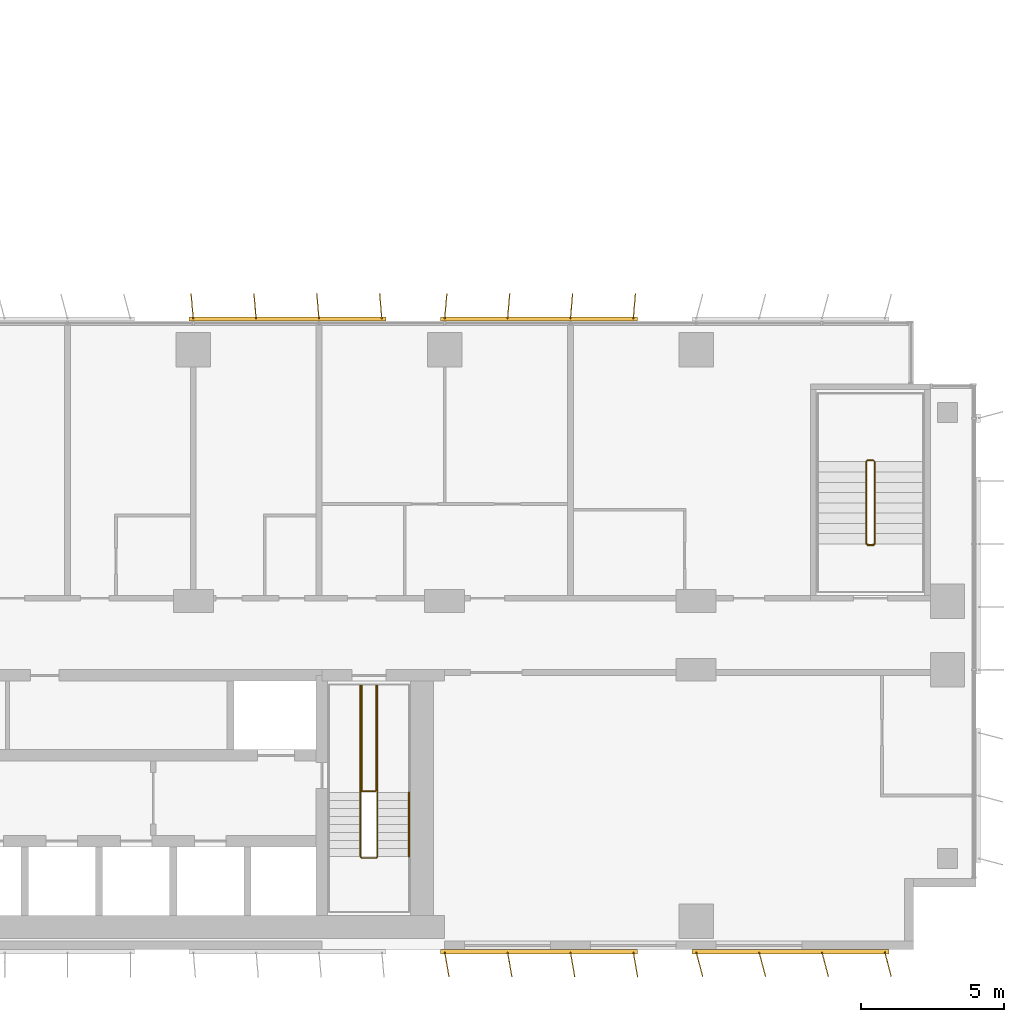
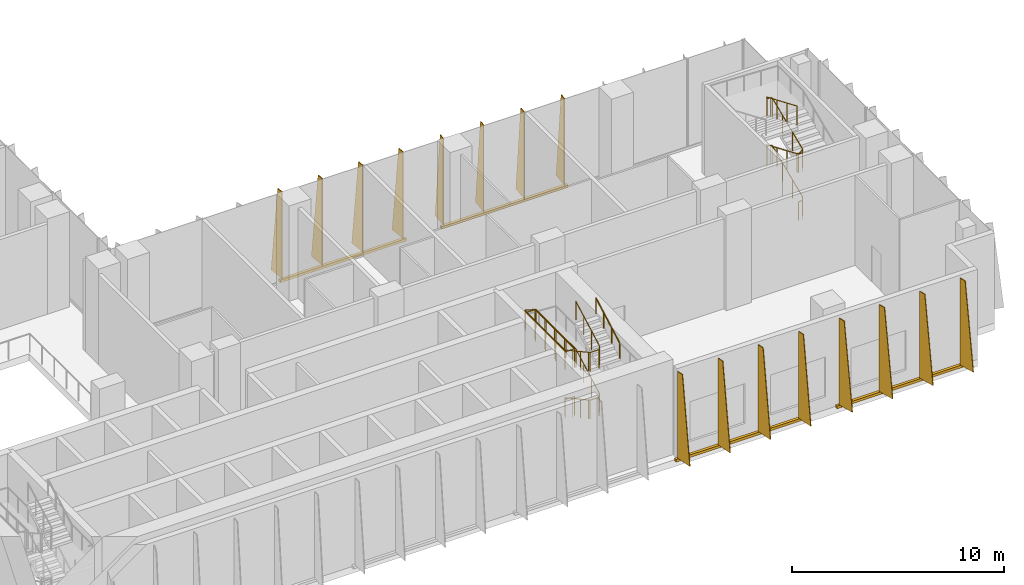
# One storey, part 22 of 26: 4 shading devices, 3 railings.
"""IFC4 building model written with IfcOpenShell, lengths in metres."""

from ifc_helpers import new_model, si_unit, direction, frame, origin, origin_2d, place, context, subcontext, project, spatial, polyline, rectangle, circle, outline, extrude, source, transform, mapped, material, layer, layer_set, type_object, element, save


model = new_model("IFC4")

# Units and contexts
model_context = context("Model", 3, precision=1e-05, world=origin(), true_north=direction((0.0, 1.0)))
body_context = subcontext(model_context, "Body", "Model", "MODEL_VIEW")
ifc_project = project(units=[si_unit("LENGTHUNIT", "METRE"), si_unit("AREAUNIT", "SQUARE_METRE"), si_unit("VOLUMEUNIT", "CUBIC_METRE"), si_unit("PLANEANGLEUNIT", "RADIAN"), si_unit("MASSUNIT", "GRAM", prefix="KILO")], contexts=[model_context])

# Site, building, storey
site_placement = place(None, origin())
site = spatial("IfcSite", under=ifc_project, at=site_placement, CompositionType="ELEMENT")
building_placement = place(site_placement, origin())
building = spatial("IfcBuilding", under=site, at=building_placement, Name="Kemantara Hotel Tower", CompositionType="ELEMENT")
storey_placement = place(building_placement, frame((0.0, 0.0, 101.89990234375)))
storey = spatial("IfcBuildingStorey", under=building, at=storey_placement, Name="L24", CompositionType="ELEMENT", Elevation=101.89990234375)

# Railings
ifc_material_1 = material(Name="Stainless steel balustrade", Category="steel")
railing_type_1 = type_object("IfcRailingType", Name="Stair guard 1100 mm", PredefinedType="GUARDRAIL", material=ifc_material_1)
railing_1_placement = place(storey_placement, frame((42.64990234375, 5.5, 5.5)))
element("IfcRailing", 1, at=railing_1_placement, inside=storey, type_object=railing_type_1, Name="L24 ST2 stair guard 1", PredefinedType="GUARDRAIL", context=body_context, shape_type="SweptSolid", body=[
    extrude(circle(Radius=0.02392578125, at=origin_2d()), frame((0.0, 0.0, 1.076171875), z_axis=(0.0, -0.87783706319, -0.478959382924), x_axis=(1.0, 0.0, 0.0)), (0.0, 0.0, 1.0), 2.5517578125),
    extrude(circle(Radius=0.02392578125, at=origin_2d()), frame((0.0, -2.239990234375, -0.14599609375), z_axis=(-0.295833358201, -0.297283521722, -0.907802363892), x_axis=(0.708833529934, -0.705375805398, 0.0)), (0.0, 0.0, 1.0), 0.16845703125),
    extrude(circle(Radius=0.02392578125, at=origin_2d()), frame((-0.0498046875, -2.2900390625, -0.298828125), z_axis=(-1.0, 0.0, 0.0), x_axis=(0.0, -1.0, 0.0)), (0.0, 0.0, 1.0), 0.5),
    extrude(circle(Radius=0.02392578125, at=origin_2d()), frame((-0.5498046875, -2.2900390625, -0.298828125), z_axis=(-0.707106781187, 0.707106781187, 0.0), x_axis=(-0.707106781187, -0.707106781187, 0.0)), (0.0, 0.0, 1.0), 0.07080078125),
    extrude(circle(Radius=0.02392578125, at=origin_2d()), frame((-0.599853515625, -2.239990234375, -0.298828125), z_axis=(0.0, 0.87783706319, -0.478959382924), x_axis=(-1.0, 0.0, 0.0)), (0.0, 0.0, 1.0), 2.5517578125),
    extrude(circle(Radius=0.02392578125, at=origin_2d()), frame((-0.599853515625, 0.0, -1.52099609375), z_axis=(0.0, 1.0, 0.0), x_axis=(-1.0, 0.0, 0.0)), (0.0, 0.0, 1.0), 3.780029296875),
    extrude(circle(Radius=0.02392578125, at=origin_2d()), frame((-0.599853515625, 3.780029296875, -1.52099609375), z_axis=(0.963499526908, 0.0, -0.267710032776), x_axis=(0.0, 1.0, 0.0)), (0.0, 0.0, 1.0), 0.57080078125),
    extrude(circle(Radius=0.02392578125, at=origin_2d()), frame((-0.0498046875, 3.780029296875, -1.673828125), z_axis=(0.0, -1.0, 0.0), x_axis=(1.0, 0.0, 0.0)), (0.0, 0.0, 1.0), 3.72998046875),
    extrude(circle(Radius=0.02392578125, at=origin_2d()), frame((-0.0498046875, 0.050048828125, -1.673828125), z_axis=(-1.0, 0.0, 0.0), x_axis=(0.0, -1.0, 0.0)), (0.0, 0.0, 1.0), 0.5),
    extrude(circle(Radius=0.02392578125, at=origin_2d()), frame((-0.5498046875, 0.050048828125, -1.673828125), z_axis=(0.0, 1.0, 0.0), x_axis=(-1.0, 0.0, 0.0)), (0.0, 0.0, 1.0), 3.72998046875),
    extrude(circle(Radius=0.02392578125, at=origin_2d()), frame((-0.5498046875, 3.780029296875, -1.673828125), z_axis=(1.0, 0.0, 0.0), x_axis=(0.0, 1.0, 0.0)), (0.0, 0.0, 1.0), 0.5498046875),
    extrude(circle(Radius=0.02392578125, at=origin_2d()), frame((0.0, 3.780029296875, -1.673828125), z_axis=(0.0, -1.0, 0.0), x_axis=(1.0, 0.0, 0.0)), (0.0, 0.0, 1.0), 3.780029296875),
    extrude(circle(Radius=0.02392578125, at=origin_2d()), frame((0.0, 0.0, -1.673828125), z_axis=(0.0, -0.87783706319, -0.478959382924), x_axis=(1.0, 0.0, 0.0)), (0.0, 0.0, 1.0), 2.5517578125),
    extrude(circle(Radius=0.02392578125, at=origin_2d()), frame((0.0, -2.239990234375, -2.89599609375), z_axis=(-0.295833358201, -0.297283521722, -0.907802363892), x_axis=(0.708833529934, -0.705375805398, 0.0)), (0.0, 0.0, 1.0), 0.16845703125),
    extrude(circle(Radius=0.02392578125, at=origin_2d()), frame((-0.0498046875, -2.2900390625, -3.048828125), z_axis=(-1.0, 0.0, 0.0), x_axis=(0.0, -1.0, 0.0)), (0.0, 0.0, 1.0), 0.5),
    extrude(circle(Radius=0.02392578125, at=origin_2d()), frame((-0.5498046875, -2.2900390625, -3.048828125), z_axis=(-0.707106781187, 0.707106781187, 0.0), x_axis=(-0.707106781187, -0.707106781187, 0.0)), (0.0, 0.0, 1.0), 0.07080078125),
    extrude(circle(Radius=0.02392578125, at=origin_2d()), frame((-0.599853515625, -2.239990234375, -3.048828125), z_axis=(0.0, 0.87783706319, -0.478959382924), x_axis=(-1.0, 0.0, 0.0)), (0.0, 0.0, 1.0), 2.5517578125),
    extrude(circle(Radius=0.02392578125, at=origin_2d()), frame((-0.599853515625, 0.0, -4.27099609375), z_axis=(0.297155754911, 0.297155754911, -0.90741220768), x_axis=(-0.707106781187, 0.707106781187, 0.0)), (0.0, 0.0, 1.0), 0.16845703125),
    extrude(circle(Radius=0.02392578125, at=origin_2d()), frame((-0.5498046875, 0.050048828125, -4.423828125), z_axis=(1.0, 0.0, 0.0), x_axis=(0.0, 1.0, 0.0)), (0.0, 0.0, 1.0), 0.5),
    extrude(circle(Radius=0.02099609375, at=origin_2d()), origin(), (0.0, 0.0, 1.0), 1.052001953125),
    extrude(circle(Radius=0.02099609375, at=origin_2d()), frame((0.0, -0.74658203125, -0.407470703125)), (0.0, 0.0, 1.0), 1.052001953125),
    extrude(circle(Radius=0.02099609375, at=origin_2d()), frame((0.0, -1.493408203125, -0.814697265625)), (0.0, 0.0, 1.0), 1.052001953125),
    extrude(circle(Radius=0.02099609375, at=origin_2d()), frame((0.0, -2.239990234375, -1.22216796875)), (0.0, 0.0, 1.0), 1.052001953125),
    extrude(circle(Radius=0.02099609375, at=origin_2d()), frame((-0.0498046875, -2.2900390625, -1.375)), (0.0, 0.0, 1.0), 1.052001953125),
    extrude(circle(Radius=0.02099609375, at=origin_2d()), frame((-0.5498046875, -2.2900390625, -1.375)), (0.0, 0.0, 1.0), 1.052001953125),
    extrude(circle(Radius=0.02099609375, at=origin_2d()), frame((-0.599853515625, -2.239990234375, -1.375)), (0.0, 0.0, 1.0), 1.052001953125),
    extrude(circle(Radius=0.02099609375, at=origin_2d()), frame((-0.599853515625, -1.493408203125, -1.782470703125)), (0.0, 0.0, 1.0), 1.052001953125),
    extrude(circle(Radius=0.02099609375, at=origin_2d()), frame((-0.599853515625, -0.74658203125, -2.189697265625)), (0.0, 0.0, 1.0), 1.052001953125),
    extrude(circle(Radius=0.02099609375, at=origin_2d()), frame((-0.599853515625, 0.0, -2.59716796875)), (0.0, 0.0, 1.0), 1.052001953125),
    extrude(circle(Radius=0.02099609375, at=origin_2d()), frame((-0.599853515625, 0.945068359375, -2.59716796875)), (0.0, 0.0, 1.0), 1.052001953125),
    extrude(circle(Radius=0.02099609375, at=origin_2d()), frame((-0.599853515625, 1.89013671875, -2.59716796875)), (0.0, 0.0, 1.0), 1.052001953125),
    extrude(circle(Radius=0.02099609375, at=origin_2d()), frame((-0.599853515625, 2.8349609375, -2.59716796875)), (0.0, 0.0, 1.0), 1.052001953125),
    extrude(circle(Radius=0.02099609375, at=origin_2d()), frame((-0.599853515625, 3.780029296875, -2.59716796875)), (0.0, 0.0, 1.0), 1.052001953125),
    extrude(circle(Radius=0.02099609375, at=origin_2d()), frame((-0.0498046875, 3.780029296875, -2.75)), (0.0, 0.0, 1.0), 1.052001953125),
    extrude(circle(Radius=0.02099609375, at=origin_2d()), frame((-0.0498046875, 2.84765625, -2.75)), (0.0, 0.0, 1.0), 1.052001953125),
    extrude(circle(Radius=0.02099609375, at=origin_2d()), frame((-0.0498046875, 1.9150390625, -2.75)), (0.0, 0.0, 1.0), 1.052001953125),
    extrude(circle(Radius=0.02099609375, at=origin_2d()), frame((-0.0498046875, 0.982421875, -2.75)), (0.0, 0.0, 1.0), 1.052001953125),
    extrude(circle(Radius=0.02099609375, at=origin_2d()), frame((-0.0498046875, 0.050048828125, -2.75)), (0.0, 0.0, 1.0), 1.052001953125),
    extrude(circle(Radius=0.02099609375, at=origin_2d()), frame((-0.5498046875, 0.050048828125, -2.75)), (0.0, 0.0, 1.0), 1.052001953125),
    extrude(circle(Radius=0.02099609375, at=origin_2d()), frame((-0.5498046875, 0.982421875, -2.75)), (0.0, 0.0, 1.0), 1.052001953125),
    extrude(circle(Radius=0.02099609375, at=origin_2d()), frame((-0.5498046875, 1.9150390625, -2.75)), (0.0, 0.0, 1.0), 1.052001953125),
    extrude(circle(Radius=0.02099609375, at=origin_2d()), frame((-0.5498046875, 2.84765625, -2.75)), (0.0, 0.0, 1.0), 1.052001953125),
    extrude(circle(Radius=0.02099609375, at=origin_2d()), frame((-0.5498046875, 3.780029296875, -2.75)), (0.0, 0.0, 1.0), 1.052001953125),
    extrude(circle(Radius=0.02099609375, at=origin_2d()), frame((0.0, 3.780029296875, -2.75)), (0.0, 0.0, 1.0), 1.052001953125),
    extrude(circle(Radius=0.02099609375, at=origin_2d()), frame((0.0, 2.8349609375, -2.75)), (0.0, 0.0, 1.0), 1.052001953125),
    extrude(circle(Radius=0.02099609375, at=origin_2d()), frame((0.0, 1.89013671875, -2.75)), (0.0, 0.0, 1.0), 1.052001953125),
    extrude(circle(Radius=0.02099609375, at=origin_2d()), frame((0.0, 0.945068359375, -2.75)), (0.0, 0.0, 1.0), 1.052001953125),
    extrude(circle(Radius=0.02099609375, at=origin_2d()), frame((0.0, 0.0, -2.75)), (0.0, 0.0, 1.0), 1.052001953125),
    extrude(circle(Radius=0.02099609375, at=origin_2d()), frame((0.0, -0.74658203125, -3.157470703125)), (0.0, 0.0, 1.0), 1.052001953125),
    extrude(circle(Radius=0.02099609375, at=origin_2d()), frame((0.0, -1.493408203125, -3.564697265625)), (0.0, 0.0, 1.0), 1.052001953125),
    extrude(circle(Radius=0.02099609375, at=origin_2d()), frame((0.0, -2.239990234375, -3.97216796875)), (0.0, 0.0, 1.0), 1.052001953125),
    extrude(circle(Radius=0.02099609375, at=origin_2d()), frame((-0.0498046875, -2.2900390625, -4.125)), (0.0, 0.0, 1.0), 1.052001953125),
    extrude(circle(Radius=0.02099609375, at=origin_2d()), frame((-0.5498046875, -2.2900390625, -4.125)), (0.0, 0.0, 1.0), 1.052001953125),
    extrude(circle(Radius=0.02099609375, at=origin_2d()), frame((-0.599853515625, -2.239990234375, -4.125)), (0.0, 0.0, 1.0), 1.052001953125),
    extrude(circle(Radius=0.02099609375, at=origin_2d()), frame((-0.599853515625, -1.493408203125, -4.532470703125)), (0.0, 0.0, 1.0), 1.052001953125),
    extrude(circle(Radius=0.02099609375, at=origin_2d()), frame((-0.599853515625, -0.74658203125, -4.939697265625)), (0.0, 0.0, 1.0), 1.052001953125),
    extrude(circle(Radius=0.02099609375, at=origin_2d()), frame((-0.599853515625, 0.0, -5.34716796875)), (0.0, 0.0, 1.0), 1.052001953125),
    extrude(circle(Radius=0.02099609375, at=origin_2d()), frame((-0.5498046875, 0.050048828125, -5.5)), (0.0, 0.0, 1.0), 1.052001953125),
    extrude(circle(Radius=0.02099609375, at=origin_2d()), frame((-0.0498046875, 0.050048828125, -5.5)), (0.0, 0.0, 1.0), 1.052001953125),
])
railing_2_placement = place(storey_placement, frame((59.75, 14.199951171875, 5.5)))
element("IfcRailing", 2, at=railing_2_placement, inside=storey, type_object=railing_type_1, Name="L24 ST3 stair guard 1", PredefinedType="GUARDRAIL", context=body_context, shape_type="SweptSolid", body=[
    extrude(circle(Radius=0.02392578125, at=origin_2d()), frame((0.0, 0.0, 1.076171875), z_axis=(0.0, 0.920547772064, -0.390630003133), x_axis=(-1.0, 0.0, 0.0)), (0.0, 0.0, 1.0), 3.128662109375),
    extrude(circle(Radius=0.02392578125, at=origin_2d()), frame((0.0, 2.880126953125, -0.14599609375), z_axis=(0.297283521722, 0.295833358201, -0.907802363892), x_axis=(-0.705375805398, 0.708833529934, 0.0)), (0.0, 0.0, 1.0), 0.16845703125),
    extrude(circle(Radius=0.02392578125, at=origin_2d()), frame((0.050048828125, 2.929931640625, -0.298828125), z_axis=(1.0, 0.0, 0.0), x_axis=(0.0, 1.0, 0.0)), (0.0, 0.0, 1.0), 0.199951171875),
    extrude(circle(Radius=0.02392578125, at=origin_2d()), frame((0.25, 2.929931640625, -0.298828125), z_axis=(0.708833529934, -0.705375805398, 0.0), x_axis=(0.705375805398, 0.708833529934, 0.0)), (0.0, 0.0, 1.0), 0.070556640625),
    extrude(circle(Radius=0.02392578125, at=origin_2d()), frame((0.300048828125, 2.880126953125, -0.298828125), z_axis=(0.0, -0.920547772064, -0.390630003133), x_axis=(1.0, 0.0, 0.0)), (0.0, 0.0, 1.0), 3.128662109375),
    extrude(circle(Radius=0.02392578125, at=origin_2d()), frame((0.300048828125, 0.0, -1.52099609375), z_axis=(-0.841019323802, -0.168368126347, -0.514138766309), x_axis=(0.196300278283, -0.98054382908, 0.0)), (0.0, 0.0, 1.0), 0.29736328125),
    extrude(circle(Radius=0.02392578125, at=origin_2d()), frame((0.050048828125, -0.050048828125, -1.673828125), z_axis=(1.0, 0.0, 0.0), x_axis=(0.0, 1.0, 0.0)), (0.0, 0.0, 1.0), 0.199951171875),
    extrude(circle(Radius=0.02392578125, at=origin_2d()), frame((0.25, -0.050048828125, -1.673828125), z_axis=(-0.98054382908, 0.196300278283, 0.0), x_axis=(-0.196300278283, -0.98054382908, 0.0)), (0.0, 0.0, 1.0), 0.2548828125),
    extrude(circle(Radius=0.02392578125, at=origin_2d()), frame((0.0, 0.0, -1.673828125), z_axis=(0.0, 0.920547772064, -0.390630003133), x_axis=(-1.0, 0.0, 0.0)), (0.0, 0.0, 1.0), 3.128662109375),
    extrude(circle(Radius=0.02392578125, at=origin_2d()), frame((0.0, 2.880126953125, -2.89599609375), z_axis=(0.297283521722, 0.295833358201, -0.907802363892), x_axis=(-0.705375805398, 0.708833529934, 0.0)), (0.0, 0.0, 1.0), 0.16845703125),
    extrude(circle(Radius=0.02392578125, at=origin_2d()), frame((0.050048828125, 2.929931640625, -3.048828125), z_axis=(1.0, 0.0, 0.0), x_axis=(0.0, 1.0, 0.0)), (0.0, 0.0, 1.0), 0.199951171875),
    extrude(circle(Radius=0.02392578125, at=origin_2d()), frame((0.25, 2.929931640625, -3.048828125), z_axis=(0.708833529934, -0.705375805398, 0.0), x_axis=(0.705375805398, 0.708833529934, 0.0)), (0.0, 0.0, 1.0), 0.070556640625),
    extrude(circle(Radius=0.02392578125, at=origin_2d()), frame((0.300048828125, 2.880126953125, -3.048828125), z_axis=(0.0, -0.920547772064, -0.390630003133), x_axis=(1.0, 0.0, 0.0)), (0.0, 0.0, 1.0), 3.128662109375),
    extrude(circle(Radius=0.02392578125, at=origin_2d()), frame((0.300048828125, 0.0, -4.27099609375), z_axis=(-0.297155754911, -0.297155754911, -0.90741220768), x_axis=(0.707106781187, -0.707106781187, 0.0)), (0.0, 0.0, 1.0), 0.16845703125),
    extrude(circle(Radius=0.02392578125, at=origin_2d()), frame((0.25, -0.050048828125, -4.423828125), z_axis=(-1.0, 0.0, 0.0), x_axis=(0.0, -1.0, 0.0)), (0.0, 0.0, 1.0), 0.199951171875),
    extrude(circle(Radius=0.02099609375, at=origin_2d()), origin(), (0.0, 0.0, 1.0), 1.052001953125),
    extrude(circle(Radius=0.02099609375, at=origin_2d()), frame((0.0, 0.9599609375, -0.407470703125)), (0.0, 0.0, 1.0), 1.052001953125),
    extrude(circle(Radius=0.02099609375, at=origin_2d()), frame((0.0, 1.920166015625, -0.814697265625)), (0.0, 0.0, 1.0), 1.052001953125),
    extrude(circle(Radius=0.02099609375, at=origin_2d()), frame((0.0, 2.880126953125, -1.22216796875)), (0.0, 0.0, 1.0), 1.052001953125),
    extrude(circle(Radius=0.02099609375, at=origin_2d()), frame((0.050048828125, 2.929931640625, -1.375)), (0.0, 0.0, 1.0), 1.052001953125),
    extrude(circle(Radius=0.02099609375, at=origin_2d()), frame((0.25, 2.929931640625, -1.375)), (0.0, 0.0, 1.0), 1.052001953125),
    extrude(circle(Radius=0.02099609375, at=origin_2d()), frame((0.300048828125, 2.880126953125, -1.375)), (0.0, 0.0, 1.0), 1.052001953125),
    extrude(circle(Radius=0.02099609375, at=origin_2d()), frame((0.300048828125, 1.920166015625, -1.782470703125)), (0.0, 0.0, 1.0), 1.052001953125),
    extrude(circle(Radius=0.02099609375, at=origin_2d()), frame((0.300048828125, 0.9599609375, -2.189697265625)), (0.0, 0.0, 1.0), 1.052001953125),
    extrude(circle(Radius=0.02099609375, at=origin_2d()), frame((0.300048828125, 0.0, -2.59716796875)), (0.0, 0.0, 1.0), 1.052001953125),
    extrude(circle(Radius=0.02099609375, at=origin_2d()), frame((0.050048828125, -0.050048828125, -2.75)), (0.0, 0.0, 1.0), 1.052001953125),
    extrude(circle(Radius=0.02099609375, at=origin_2d()), frame((0.25, -0.050048828125, -2.75)), (0.0, 0.0, 1.0), 1.052001953125),
    extrude(circle(Radius=0.02099609375, at=origin_2d()), frame((0.0, 0.0, -2.75)), (0.0, 0.0, 1.0), 1.052001953125),
    extrude(circle(Radius=0.02099609375, at=origin_2d()), frame((0.0, 0.9599609375, -3.157470703125)), (0.0, 0.0, 1.0), 1.052001953125),
    extrude(circle(Radius=0.02099609375, at=origin_2d()), frame((0.0, 1.920166015625, -3.564697265625)), (0.0, 0.0, 1.0), 1.052001953125),
    extrude(circle(Radius=0.02099609375, at=origin_2d()), frame((0.0, 2.880126953125, -3.97216796875)), (0.0, 0.0, 1.0), 1.052001953125),
    extrude(circle(Radius=0.02099609375, at=origin_2d()), frame((0.050048828125, 2.929931640625, -4.125)), (0.0, 0.0, 1.0), 1.052001953125),
    extrude(circle(Radius=0.02099609375, at=origin_2d()), frame((0.25, 2.929931640625, -4.125)), (0.0, 0.0, 1.0), 1.052001953125),
    extrude(circle(Radius=0.02099609375, at=origin_2d()), frame((0.300048828125, 2.880126953125, -4.125)), (0.0, 0.0, 1.0), 1.052001953125),
    extrude(circle(Radius=0.02099609375, at=origin_2d()), frame((0.300048828125, 1.920166015625, -4.532470703125)), (0.0, 0.0, 1.0), 1.052001953125),
    extrude(circle(Radius=0.02099609375, at=origin_2d()), frame((0.300048828125, 0.9599609375, -4.939697265625)), (0.0, 0.0, 1.0), 1.052001953125),
    extrude(circle(Radius=0.02099609375, at=origin_2d()), frame((0.300048828125, 0.0, -5.34716796875)), (0.0, 0.0, 1.0), 1.052001953125),
    extrude(circle(Radius=0.02099609375, at=origin_2d()), frame((0.25, -0.050048828125, -5.5)), (0.0, 0.0, 1.0), 1.052001953125),
    extrude(circle(Radius=0.02099609375, at=origin_2d()), frame((0.050048828125, -0.050048828125, -5.5)), (0.0, 0.0, 1.0), 1.052001953125),
])
railing_type_2 = type_object("IfcRailingType", Name="Stair handrail 900 mm", PredefinedType="HANDRAIL", material=ifc_material_1)
railing_3_placement = place(storey_placement, frame((43.75, 3.260009765625, 4.27783203125)))
element("IfcRailing", 3, at=railing_3_placement, inside=storey, type_object=railing_type_2, Name="L24 ST2 stair handrail 3", PredefinedType="HANDRAIL", context=body_context, shape_type="SweptSolid", body=[
    extrude(circle(Radius=0.02392578125, at=origin_2d()), frame((0.0, 0.0, 0.8759765625), z_axis=(0.0, 0.87783706319, 0.478959382924), x_axis=(-1.0, 0.0, 0.0)), (0.0, 0.0, 1.0), 2.5517578125),
    extrude(circle(Radius=0.02099609375, at=origin_2d()), origin(), (0.0, 0.0, 1.0), 0.851806640625),
    extrude(circle(Radius=0.02099609375, at=origin_2d()), frame((0.0, 0.74658203125, 0.407470703125)), (0.0, 0.0, 1.0), 0.851806640625),
    extrude(circle(Radius=0.02099609375, at=origin_2d()), frame((0.0, 1.493408203125, 0.814697265625)), (0.0, 0.0, 1.0), 0.851806640625),
    extrude(circle(Radius=0.02099609375, at=origin_2d()), frame((0.0, 2.239990234375, 1.22216796875)), (0.0, 0.0, 1.0), 0.851806640625),
])

# Shading devices
ifc_material_2 = material(Name="Perforated aluminium plate 4 mm bronze anodised", Category="aluminium")
ifc_layer_1 = layer(ifc_material_2, 0.0400390625)
ifc_layer_set_1 = layer_set([ifc_layer_1], Name="Perforated aluminium plate 4 mm bronze anodised")
shading_device_type_1 = type_object("IfcShadingDeviceType", Name="SCREEN FIN CASSETTE, 4 BLADES AT +15.0 DEG, 5000 HIGH", PredefinedType="USERDEFINED", material=ifc_layer_set_1)
shared_shape_1 = source(origin(), body_context, "Body", "SweptSolid", [
    extrude(rectangle(XDim=6.89990234375, YDim=0.14990234375, at=origin_2d()), frame((3.300048828125, -0.074951171875, -0.14990234375), z_axis=(0.0, 0.0, 1.0), x_axis=(1.0, 0.0, 0.0)), (0.0, 0.0, 1.0), 0.14990234375),
    extrude(outline(polyline([(0.0, 0.0), (0.89990234375, 0.0), (0.35009765625, 5.0), (0.0, 5.0), (0.0, 0.0)])), frame((0.019287109375, -0.06982421875, 0.0), z_axis=(-0.966437683387, -0.256901156343, 0.0), x_axis=(0.256901156343, -0.966437683387, 0.0)), (0.0, 0.0, 1.0), 0.039794921875),
    extrude(outline(polyline([(0.0, 0.0), (0.89990234375, 0.0), (0.35009765625, 5.0), (0.0, 5.0), (0.0, 0.0)])), frame((2.21923828125, -0.06982421875, 0.0), z_axis=(-0.966437683387, -0.256901156343, 0.0), x_axis=(0.256901156343, -0.966437683387, 0.0)), (0.0, 0.0, 1.0), 0.039794921875),
    extrude(outline(polyline([(0.0, 0.0), (0.89990234375, 0.0), (0.35009765625, 5.0), (0.0, 5.0), (0.0, 0.0)])), frame((4.41943359375, -0.06982421875, 0.0), z_axis=(-0.966837822169, -0.255391122837, 0.0), x_axis=(0.255391122837, -0.966837822169, 0.0)), (0.0, 0.0, 1.0), 0.0400390625),
    extrude(outline(polyline([(0.0, 0.0), (0.89990234375, 0.0), (0.35009765625, 5.0), (0.0, 5.0), (0.0, 0.0)])), frame((6.619384765625, -0.06982421875, 0.0), z_axis=(-0.966837822169, -0.255391122837, 0.0), x_axis=(0.255391122837, -0.966837822169, 0.0)), (0.0, 0.0, 1.0), 0.0400390625),
])
shading_device_1_placement = place(storey_placement, frame((53.800048828125, 0.0, 0.10009765625), z_axis=(0.0, 0.0, 1.0), x_axis=(1.0, 0.0, 0.0)))
element("IfcShadingDevice", 4, at=shading_device_1_placement, inside=storey, type_object=shading_device_type_1, Name="SCREEN FIN CASSETTE L24 T2-R07-7", ObjectType="SCREEN FIN", PredefinedType="USERDEFINED", context=body_context, shape_type="MappedRepresentation", body=[
    mapped(shared_shape_1, transform((0.0, 0.0, 0.0))),
])
ifc_layer_2 = layer(ifc_material_2, 0.0400390625)
ifc_layer_set_2 = layer_set([ifc_layer_2], Name="Perforated aluminium plate 4 mm bronze anodised")
shading_device_type_2 = type_object("IfcShadingDeviceType", Name="SCREEN FIN CASSETTE, 4 BLADES AT +10.0 DEG, 5000 HIGH", PredefinedType="USERDEFINED", material=ifc_layer_set_2)
shared_shape_2 = source(origin(), body_context, "Body", "SweptSolid", [
    extrude(rectangle(XDim=6.89990234375, YDim=0.14990234375, at=origin_2d()), frame((3.300048828125, -0.074951171875, -0.14990234375), z_axis=(0.0, 0.0, 1.0), x_axis=(1.0, 0.0, 0.0)), (0.0, 0.0, 1.0), 0.14990234375),
    extrude(outline(polyline([(0.0, 0.0), (0.89990234375, 0.0), (0.35009765625, 5.0), (0.0, 5.0), (0.0, 0.0)])), frame((0.019775390625, -0.071533203125, 0.0), z_axis=(-0.985389793052, -0.170314285219, 0.0), x_axis=(0.170314285219, -0.985389793052, 0.0)), (0.0, 0.0, 1.0), 0.0400390625),
    extrude(outline(polyline([(0.0, 0.0), (0.89990234375, 0.0), (0.35009765625, 5.0), (0.0, 5.0), (0.0, 0.0)])), frame((2.2197265625, -0.071533203125, 0.0), z_axis=(-0.98521175482, -0.171341174751, 0.0), x_axis=(0.171341174751, -0.98521175482, 0.0)), (0.0, 0.0, 1.0), 0.039794921875),
    extrude(outline(polyline([(0.0, 0.0), (0.89990234375, 0.0), (0.35009765625, 5.0), (0.0, 5.0), (0.0, 0.0)])), frame((4.419677734375, -0.071533203125, 0.0), z_axis=(-0.98521175482, -0.171341174751, 0.0), x_axis=(0.171341174751, -0.98521175482, 0.0)), (0.0, 0.0, 1.0), 0.039794921875),
    extrude(outline(polyline([(0.0, 0.0), (0.89990234375, 0.0), (0.35009765625, 5.0), (0.0, 5.0), (0.0, 0.0)])), frame((6.61962890625, -0.071533203125, 0.0), z_axis=(-0.98521175482, -0.171341174751, 0.0), x_axis=(0.171341174751, -0.98521175482, 0.0)), (0.0, 0.0, 1.0), 0.039794921875),
])
shading_device_2_placement = place(storey_placement, frame((45.0, 0.0, 0.10009765625), z_axis=(0.0, 0.0, 1.0), x_axis=(1.0, 0.0, 0.0)))
element("IfcShadingDevice", 5, at=shading_device_2_placement, inside=storey, type_object=shading_device_type_2, Name="SCREEN FIN CASSETTE L24 T2-R07-6", ObjectType="SCREEN FIN", PredefinedType="USERDEFINED", context=body_context, shape_type="MappedRepresentation", body=[
    mapped(shared_shape_2, transform((0.0, 0.0, 0.0))),
])
ifc_layer_3 = layer(ifc_material_2, 0.0400390625)
ifc_layer_set_3 = layer_set([ifc_layer_3], Name="Perforated aluminium plate 4 mm bronze anodised")
shading_device_type_3 = type_object("IfcShadingDeviceType", Name="SCREEN FIN CASSETTE, 4 BLADES AT +5.0 DEG, 5000 HIGH", PredefinedType="USERDEFINED", material=ifc_layer_set_3)
shared_shape_3 = source(origin(), body_context, "Body", "SweptSolid", [
    extrude(rectangle(XDim=6.89990234375, YDim=0.14990234375, at=origin_2d()), frame((3.300048828125, -0.074951171875, -0.14990234375), z_axis=(0.0, 0.0, 1.0), x_axis=(1.0, 0.0, 0.0)), (0.0, 0.0, 1.0), 0.14990234375),
    extrude(outline(polyline([(0.0, 0.0), (0.89990234375, 0.0), (0.35009765625, 5.0), (0.0, 5.0), (0.0, 0.0)])), frame((0.02001953125, -0.0732421875, 0.0), z_axis=(-0.996376129781, -0.085056498884, 0.0), x_axis=(0.085056498884, -0.996376129781, 0.0)), (0.0, 0.0, 1.0), 0.040283203125),
    extrude(outline(polyline([(0.0, 0.0), (0.89990234375, 0.0), (0.35009765625, 5.0), (0.0, 5.0), (0.0, 0.0)])), frame((2.219970703125, -0.0732421875, 0.0), z_axis=(-0.996331773833, -0.085574508182, 0.0), x_axis=(0.085574508182, -0.996331773833, 0.0)), (0.0, 0.0, 1.0), 0.0400390625),
    extrude(outline(polyline([(0.0, 0.0), (0.89990234375, 0.0), (0.35009765625, 5.0), (0.0, 5.0), (0.0, 0.0)])), frame((4.419921875, -0.0732421875, 0.0), z_axis=(-0.996331773833, -0.085574508182, 0.0), x_axis=(0.085574508182, -0.996331773833, 0.0)), (0.0, 0.0, 1.0), 0.0400390625),
    extrude(outline(polyline([(0.0, 0.0), (0.89990234375, 0.0), (0.35009765625, 5.0), (0.0, 5.0), (0.0, 0.0)])), frame((6.619873046875, -0.0732421875, 0.0), z_axis=(-0.996331773833, -0.085574508182, 0.0), x_axis=(0.085574508182, -0.996331773833, 0.0)), (0.0, 0.0, 1.0), 0.0400390625),
])
shading_device_3_placement = place(storey_placement, frame((42.800048828125, 22.0, 0.10009765625), z_axis=(0.0, 0.0, 1.0), x_axis=(-1.0, 0.0, 0.0)))
element("IfcShadingDevice", 6, at=shading_device_3_placement, inside=storey, type_object=shading_device_type_3, Name="SCREEN FIN CASSETTE L24 T2-R13-3", ObjectType="SCREEN FIN", PredefinedType="USERDEFINED", context=body_context, shape_type="MappedRepresentation", body=[
    mapped(shared_shape_3, transform((0.0, 0.0, 0.0))),
])
ifc_layer_4 = layer(ifc_material_2, 0.0400390625)
ifc_layer_set_4 = layer_set([ifc_layer_4], Name="Perforated aluminium plate 4 mm bronze anodised")
shading_device_type_4 = type_object("IfcShadingDeviceType", Name="SCREEN FIN CASSETTE, 4 BLADES AT -5.0 DEG, 5000 HIGH", PredefinedType="USERDEFINED", material=ifc_layer_set_4)
shared_shape_4 = source(origin(), body_context, "Body", "SweptSolid", [
    extrude(rectangle(XDim=6.89990234375, YDim=0.14990234375, at=origin_2d()), frame((3.300048828125, -0.074951171875, -0.14990234375), z_axis=(0.0, 0.0, 1.0), x_axis=(1.0, 0.0, 0.0)), (0.0, 0.0, 1.0), 0.14990234375),
    extrude(outline(polyline([(0.0, 0.0), (0.89990234375, 0.0), (0.35009765625, 5.0), (0.0, 5.0), (0.0, 0.0)])), frame((0.02001953125, -0.07666015625, 0.0), z_axis=(-0.996376129781, 0.085056498884, 0.0), x_axis=(-0.085056498884, -0.996376129781, 0.0)), (0.0, 0.0, 1.0), 0.040283203125),
    extrude(outline(polyline([(0.0, 0.0), (0.89990234375, 0.0), (0.35009765625, 5.0), (0.0, 5.0), (0.0, 0.0)])), frame((2.219970703125, -0.07666015625, 0.0), z_axis=(-0.996331773833, 0.085574508182, 0.0), x_axis=(-0.085574508182, -0.996331773833, 0.0)), (0.0, 0.0, 1.0), 0.0400390625),
    extrude(outline(polyline([(0.0, 0.0), (0.89990234375, 0.0), (0.35009765625, 5.0), (0.0, 5.0), (0.0, 0.0)])), frame((4.419921875, -0.07666015625, 0.0), z_axis=(-0.996331773833, 0.085574508182, 0.0), x_axis=(-0.085574508182, -0.996331773833, 0.0)), (0.0, 0.0, 1.0), 0.0400390625),
    extrude(outline(polyline([(0.0, 0.0), (0.89990234375, 0.0), (0.35009765625, 5.0), (0.0, 5.0), (0.0, 0.0)])), frame((6.619873046875, -0.07666015625, 0.0), z_axis=(-0.996331773833, 0.085574508182, 0.0), x_axis=(-0.085574508182, -0.996331773833, 0.0)), (0.0, 0.0, 1.0), 0.0400390625),
])
shading_device_4_placement = place(storey_placement, frame((51.60009765625, 22.0, 0.10009765625), z_axis=(0.0, 0.0, 1.0), x_axis=(-1.0, 0.0, 0.0)))
element("IfcShadingDevice", 7, at=shading_device_4_placement, inside=storey, type_object=shading_device_type_4, Name="SCREEN FIN CASSETTE L24 T2-R13-2", ObjectType="SCREEN FIN", PredefinedType="USERDEFINED", context=body_context, shape_type="MappedRepresentation", body=[
    mapped(shared_shape_4, transform((0.0, 0.0, 0.0))),
])

save(model, "model.ifc")
